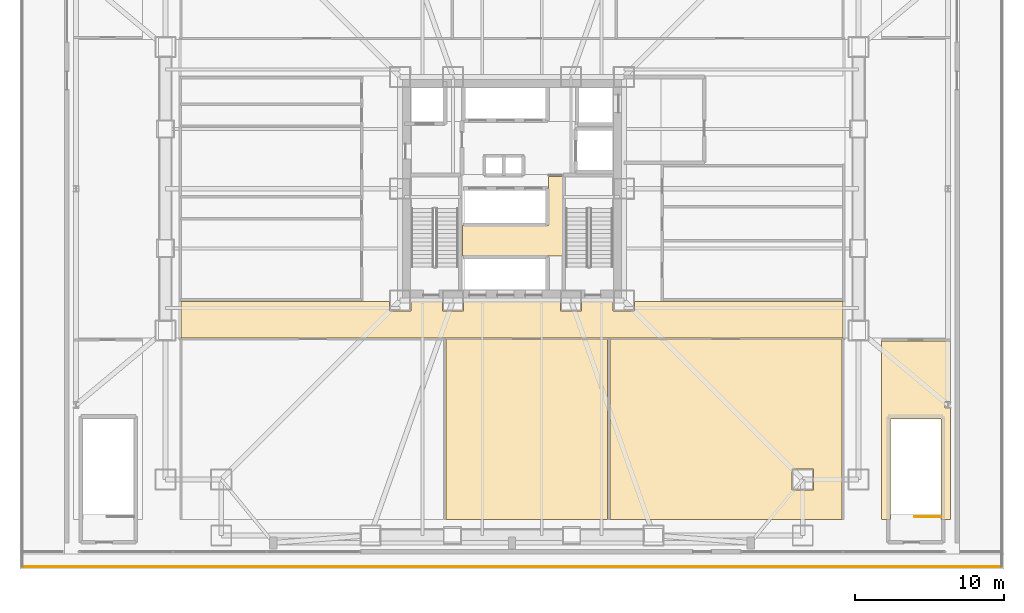
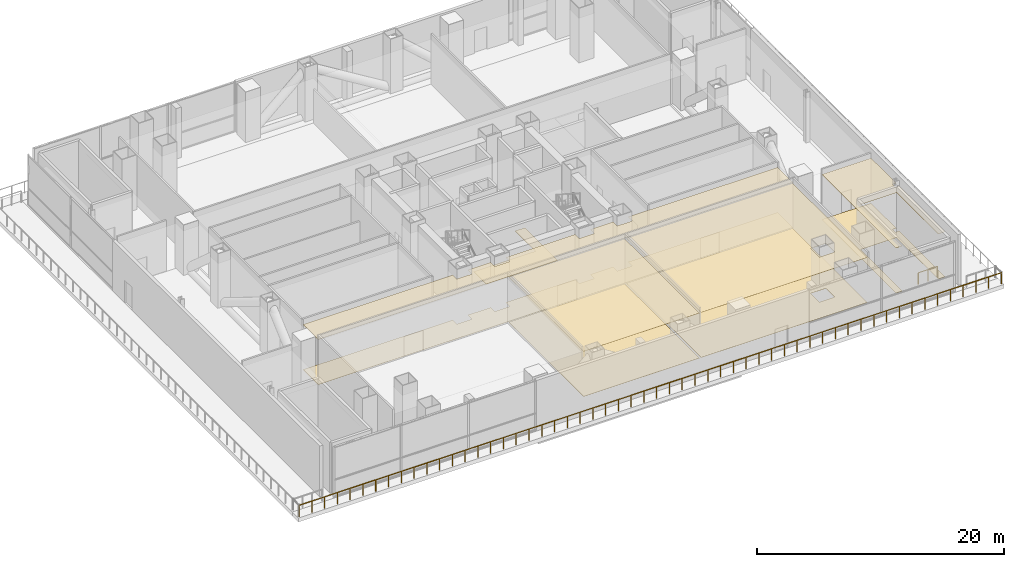
# One storey, part 19 of 21: 9 coverings, 2 railings.
"""IFC4 building model written with IfcOpenShell, lengths in metres."""

from ifc_helpers import new_model, si_unit, direction, frame, origin, origin_2d, place, context, subcontext, project, spatial, polyline, circle, outline, extrude, material, layer, layer_set, type_object, element, save


model = new_model("IFC4")

# Units and contexts
model_context = context("Model", 3, precision=1e-05, world=origin(), true_north=direction((0.0, 1.0)))
body_context = subcontext(model_context, "Body", "Model", "MODEL_VIEW")
ifc_project = project(units=[si_unit("LENGTHUNIT", "METRE"), si_unit("AREAUNIT", "SQUARE_METRE"), si_unit("VOLUMEUNIT", "CUBIC_METRE"), si_unit("PLANEANGLEUNIT", "RADIAN"), si_unit("MASSUNIT", "GRAM", prefix="KILO")], contexts=[model_context])

# Site, building, storey
site_placement = place(None, origin())
site = spatial("IfcSite", under=ifc_project, at=site_placement, CompositionType="ELEMENT")
building_placement = place(site_placement, origin())
building = spatial("IfcBuilding", under=site, at=building_placement, Name="Trevonay Congress Spire", CompositionType="ELEMENT")
storey_placement = place(building_placement, frame((0.0, 0.0, 21.60009765625)))
storey = spatial("IfcBuildingStorey", under=building, at=storey_placement, Name="L04", CompositionType="ELEMENT", Elevation=21.60009765625)

# Coverings
ifc_material_1 = material(Name="Acoustic Mineral Fibre Board", Category="gypsum")
ifc_layer_1 = layer(ifc_material_1, 0.02490234375, Name="Acoustic Mineral Fibre Board")
ifc_layer_set_1 = layer_set([ifc_layer_1], Name="Acoustic Mineral Fibre Board")
covering_type_1 = type_object("IfcCoveringType", Name="COV-CEIL-ACOUSTIC", PredefinedType="CEILING", material=ifc_layer_set_1)
covering_1_placement = place(storey_placement, frame((0.0, 0.0, 4.449951171875)))
element("IfcCovering", 1, at=covering_1_placement, inside=storey, type_object=covering_type_1, Name="L04 L04 Grand Concourse South acoustic suspended ceiling", PredefinedType="CEILING", context=body_context, shape_type="SweptSolid", body=[
    extrude(outline(polyline([(22.199951171875, -7.550048828125), (22.199951171875, -10.0), (-22.199951171875, -10.0), (-22.199951171875, -7.550048828125), (-8.2099609375, -7.550048828125), (-8.2099609375, -8.2099609375), (-6.7900390625, -8.2099609375), (-6.7900390625, -7.550048828125), (-4.659912109375, -7.550048828125), (-4.659912109375, -8.2099609375), (-3.239990234375, -8.2099609375), (-3.239990234375, -7.550048828125), (3.239990234375, -7.550048828125), (3.239990234375, -8.2099609375), (4.659912109375, -8.2099609375), (4.659912109375, -7.550048828125), (6.7900390625, -7.550048828125), (6.7900390625, -8.2099609375), (8.2099609375, -8.2099609375), (8.2099609375, -7.550048828125), (22.199951171875, -7.550048828125)])), origin(), (0.0, 0.0, 1.0), 0.02490234375),
])
covering_2_placement = place(storey_placement, frame((0.0, 0.0, 4.449951171875)))
element("IfcCovering", 2, at=covering_2_placement, inside=storey, type_object=covering_type_1, Name="L04 Delegate Dining Hall acoustic suspended ceiling", PredefinedType="CEILING", context=body_context, shape_type="SweptSolid", body=[
    extrude(outline(polyline([(-4.419921875, -22.199951171875), (6.419921875, -22.199951171875), (6.419921875, -10.080078125), (-4.419921875, -10.080078125), (-4.419921875, -22.199951171875)])), origin(), (0.0, 0.0, 1.0), 0.02490234375),
])
covering_3_placement = place(storey_placement, frame((0.0, 0.0, 4.449951171875)))
element("IfcCovering", 3, at=covering_3_placement, inside=storey, type_object=covering_type_1, Name="L04 Finishing Kitchen L04 acoustic suspended ceiling", PredefinedType="CEILING", context=body_context, shape_type="SweptSolid", body=[
    extrude(outline(polyline([(6.580078125, -10.080078125), (22.1201171875, -10.080078125), (22.1201171875, -22.199951171875), (6.580078125, -22.199951171875), (6.580078125, -10.080078125)]), holes=[polyline([(20.2099609375, -20.2099609375), (20.2099609375, -18.7900390625), (18.7900390625, -18.7900390625), (18.7900390625, -20.2099609375), (20.2099609375, -20.2099609375)])]), origin(), (0.0, 0.0, 1.0), 0.02490234375),
])
covering_4_placement = place(storey_placement, frame((0.0, 0.0, 4.449951171875)))
element("IfcCovering", 4, at=covering_4_placement, inside=storey, type_object=covering_type_1, Name="L04 East Terrace Delegate Lounge acoustic suspended ceiling", PredefinedType="CEILING", context=body_context, shape_type="SweptSolid", body=[
    extrude(outline(polyline([(28.760009765625, -22.199951171875), (28.760009765625, -15.43994140625), (25.389892578125, -15.43994140625), (25.389892578125, -22.199951171875), (24.800048828125, -22.199951171875), (24.800048828125, -10.199951171875), (29.39990234375, -10.199951171875), (29.39990234375, -14.277587890625), (29.055908203125, -14.277587890625), (29.055908203125, -14.722412109375), (29.39990234375, -14.722412109375), (29.39990234375, -22.199951171875), (28.760009765625, -22.199951171875)])), origin(), (0.0, 0.0, 1.0), 0.02490234375),
])
ifc_material_2 = material(Name="Polished Granite Floor Tile", Category="masonry")
ifc_layer_2 = layer(ifc_material_2, 0.02001953125, Name="Polished Granite Floor Tile")
ifc_layer_set_2 = layer_set([ifc_layer_2], Name="Polished Granite Floor Tile")
covering_type_2 = type_object("IfcCoveringType", Name="COV-FLOOR-STONE", PredefinedType="FLOORING", material=ifc_layer_set_2)
covering_5_placement = place(storey_placement, origin())
element("IfcCovering", 5, at=covering_5_placement, inside=storey, type_object=covering_type_2, Name="L04 Core MEP Metering Room floor finish", PredefinedType="FLOORING", context=body_context, shape_type="SweptSolid", body=[
    extrude(outline(polyline([(-3.320068359375, -4.52001953125), (3.3798828125, -4.52001953125), (3.3798828125, 0.820068359375), (2.4599609375, 0.820068359375), (2.4599609375, -2.47998046875), (-3.320068359375, -2.47998046875), (-3.320068359375, -4.52001953125)])), origin(), (0.0, 0.0, 1.0), 0.02001953125),
])
covering_6_placement = place(storey_placement, origin())
element("IfcCovering", 6, at=covering_6_placement, inside=storey, type_object=covering_type_2, Name="L04 L04 Grand Concourse South floor finish", PredefinedType="FLOORING", context=body_context, shape_type="SweptSolid", body=[
    extrude(outline(polyline([(22.199951171875, -7.550048828125), (22.199951171875, -10.0), (-22.199951171875, -10.0), (-22.199951171875, -7.550048828125), (-8.2099609375, -7.550048828125), (-8.2099609375, -8.2099609375), (-6.7900390625, -8.2099609375), (-6.7900390625, -7.550048828125), (-4.659912109375, -7.550048828125), (-4.659912109375, -8.2099609375), (-3.239990234375, -8.2099609375), (-3.239990234375, -7.550048828125), (3.239990234375, -7.550048828125), (3.239990234375, -8.2099609375), (4.659912109375, -8.2099609375), (4.659912109375, -7.550048828125), (6.7900390625, -7.550048828125), (6.7900390625, -8.2099609375), (8.2099609375, -8.2099609375), (8.2099609375, -7.550048828125), (22.199951171875, -7.550048828125)])), origin(), (0.0, 0.0, 1.0), 0.02001953125),
])
covering_7_placement = place(storey_placement, origin())
element("IfcCovering", 7, at=covering_7_placement, inside=storey, type_object=covering_type_2, Name="L04 Delegate Dining Hall floor finish", PredefinedType="FLOORING", context=body_context, shape_type="SweptSolid", body=[
    extrude(outline(polyline([(-4.419921875, -22.199951171875), (6.419921875, -22.199951171875), (6.419921875, -10.080078125), (-4.419921875, -10.080078125), (-4.419921875, -22.199951171875)])), origin(), (0.0, 0.0, 1.0), 0.02001953125),
])
covering_8_placement = place(storey_placement, origin())
element("IfcCovering", 8, at=covering_8_placement, inside=storey, type_object=covering_type_2, Name="L04 Finishing Kitchen L04 floor finish", PredefinedType="FLOORING", context=body_context, shape_type="SweptSolid", body=[
    extrude(outline(polyline([(6.580078125, -10.080078125), (22.1201171875, -10.080078125), (22.1201171875, -22.199951171875), (6.580078125, -22.199951171875), (6.580078125, -10.080078125)]), holes=[polyline([(20.2099609375, -20.2099609375), (20.2099609375, -18.7900390625), (18.7900390625, -18.7900390625), (18.7900390625, -20.2099609375), (20.2099609375, -20.2099609375)])]), origin(), (0.0, 0.0, 1.0), 0.02001953125),
])
ifc_material_3 = material(Name="Engineered Oak Flooring", Category="wood")
ifc_layer_3 = layer(ifc_material_3, 0.01806640625, Name="Engineered Oak Flooring")
ifc_layer_set_3 = layer_set([ifc_layer_3], Name="Engineered Oak Flooring")
covering_type_3 = type_object("IfcCoveringType", Name="COV-FLOOR-TIMBER", PredefinedType="FLOORING", material=ifc_layer_set_3)
covering_9_placement = place(storey_placement, origin())
element("IfcCovering", 9, at=covering_9_placement, inside=storey, type_object=covering_type_3, Name="L04 East Terrace Delegate Lounge floor finish", PredefinedType="FLOORING", context=body_context, shape_type="SweptSolid", body=[
    extrude(outline(polyline([(28.760009765625, -22.199951171875), (28.760009765625, -15.43994140625), (25.389892578125, -15.43994140625), (25.389892578125, -22.199951171875), (24.800048828125, -22.199951171875), (24.800048828125, -10.199951171875), (29.39990234375, -10.199951171875), (29.39990234375, -14.277587890625), (29.055908203125, -14.277587890625), (29.055908203125, -14.722412109375), (29.39990234375, -14.722412109375), (29.39990234375, -22.199951171875), (28.760009765625, -22.199951171875)])), origin(), (0.0, 0.0, 1.0), 0.017822265625),
])

# Railings
ifc_material_4 = material(Name="Pale Anodised Aluminium EN AW-6063-T6", Category="aluminium")
railing_type_1 = type_object("IfcRailingType", Name="RAL-EXT-GUARD-115", PredefinedType="GUARDRAIL", material=ifc_material_4)
railing_1_placement = place(storey_placement, frame((-32.85009765625, -25.35009765625, 0.0)))
element("IfcRailing", 10, at=railing_1_placement, inside=storey, type_object=railing_type_1, Name="L04 perimeter safety guard GRD-L04-TER-S-2", PredefinedType="GUARDRAIL", context=body_context, shape_type="SweptSolid", body=[
    extrude(circle(Radius=0.02392578125, at=origin_2d()), frame((0.0, 0.0, 1.1259765625), z_axis=(1.0, 0.0, 0.0), x_axis=(0.0, 1.0, 0.0)), (0.0, 0.0, 1.0), 65.7001953125),
    extrude(circle(Radius=0.02099609375, at=origin_2d()), origin(), (0.0, 0.0, 1.0), 1.101806640625),
    extrude(circle(Radius=0.02099609375, at=origin_2d()), frame((1.194580078125, 0.0, 0.0)), (0.0, 0.0, 1.0), 1.101806640625),
    extrude(circle(Radius=0.02099609375, at=origin_2d()), frame((2.38916015625, 0.0, 0.0)), (0.0, 0.0, 1.0), 1.101806640625),
    extrude(circle(Radius=0.02099609375, at=origin_2d()), frame((3.583740234375, 0.0, 0.0)), (0.0, 0.0, 1.0), 1.101806640625),
    extrude(circle(Radius=0.02099609375, at=origin_2d()), frame((4.778076171875, 0.0, 0.0)), (0.0, 0.0, 1.0), 1.101806640625),
    extrude(circle(Radius=0.02099609375, at=origin_2d()), frame((5.97265625, 0.0, 0.0)), (0.0, 0.0, 1.0), 1.101806640625),
    extrude(circle(Radius=0.02099609375, at=origin_2d()), frame((7.167236328125, 0.0, 0.0)), (0.0, 0.0, 1.0), 1.101806640625),
    extrude(circle(Radius=0.02099609375, at=origin_2d()), frame((8.36181640625, 0.0, 0.0)), (0.0, 0.0, 1.0), 1.101806640625),
    extrude(circle(Radius=0.02099609375, at=origin_2d()), frame((9.556396484375, 0.0, 0.0)), (0.0, 0.0, 1.0), 1.101806640625),
    extrude(circle(Radius=0.02099609375, at=origin_2d()), frame((10.7509765625, 0.0, 0.0)), (0.0, 0.0, 1.0), 1.101806640625),
    extrude(circle(Radius=0.02099609375, at=origin_2d()), frame((11.945556640625, 0.0, 0.0)), (0.0, 0.0, 1.0), 1.101806640625),
    extrude(circle(Radius=0.02099609375, at=origin_2d()), frame((13.14013671875, 0.0, 0.0)), (0.0, 0.0, 1.0), 1.101806640625),
    extrude(circle(Radius=0.02099609375, at=origin_2d()), frame((14.33447265625, 0.0, 0.0)), (0.0, 0.0, 1.0), 1.101806640625),
    extrude(circle(Radius=0.02099609375, at=origin_2d()), frame((15.529052734375, 0.0, 0.0)), (0.0, 0.0, 1.0), 1.101806640625),
    extrude(circle(Radius=0.02099609375, at=origin_2d()), frame((16.7236328125, 0.0, 0.0)), (0.0, 0.0, 1.0), 1.101806640625),
    extrude(circle(Radius=0.02099609375, at=origin_2d()), frame((17.918212890625, 0.0, 0.0)), (0.0, 0.0, 1.0), 1.101806640625),
    extrude(circle(Radius=0.02099609375, at=origin_2d()), frame((19.11279296875, 0.0, 0.0)), (0.0, 0.0, 1.0), 1.101806640625),
    extrude(circle(Radius=0.02099609375, at=origin_2d()), frame((20.307373046875, 0.0, 0.0)), (0.0, 0.0, 1.0), 1.101806640625),
    extrude(circle(Radius=0.02099609375, at=origin_2d()), frame((21.501953125, 0.0, 0.0)), (0.0, 0.0, 1.0), 1.101806640625),
    extrude(circle(Radius=0.02099609375, at=origin_2d()), frame((22.696533203125, 0.0, 0.0)), (0.0, 0.0, 1.0), 1.101806640625),
    extrude(circle(Radius=0.02099609375, at=origin_2d()), frame((23.890869140625, 0.0, 0.0)), (0.0, 0.0, 1.0), 1.101806640625),
    extrude(circle(Radius=0.02099609375, at=origin_2d()), frame((25.08544921875, 0.0, 0.0)), (0.0, 0.0, 1.0), 1.101806640625),
    extrude(circle(Radius=0.02099609375, at=origin_2d()), frame((26.280029296875, 0.0, 0.0)), (0.0, 0.0, 1.0), 1.101806640625),
    extrude(circle(Radius=0.02099609375, at=origin_2d()), frame((27.474609375, 0.0, 0.0)), (0.0, 0.0, 1.0), 1.101806640625),
    extrude(circle(Radius=0.02099609375, at=origin_2d()), frame((28.669189453125, 0.0, 0.0)), (0.0, 0.0, 1.0), 1.101806640625),
    extrude(circle(Radius=0.02099609375, at=origin_2d()), frame((29.86376953125, 0.0, 0.0)), (0.0, 0.0, 1.0), 1.101806640625),
    extrude(circle(Radius=0.02099609375, at=origin_2d()), frame((31.058349609375, 0.0, 0.0)), (0.0, 0.0, 1.0), 1.101806640625),
    extrude(circle(Radius=0.02099609375, at=origin_2d()), frame((32.2529296875, 0.0, 0.0)), (0.0, 0.0, 1.0), 1.101806640625),
    extrude(circle(Radius=0.02099609375, at=origin_2d()), frame((33.447265625, 0.0, 0.0)), (0.0, 0.0, 1.0), 1.101806640625),
    extrude(circle(Radius=0.02099609375, at=origin_2d()), frame((34.641845703125, 0.0, 0.0)), (0.0, 0.0, 1.0), 1.101806640625),
    extrude(circle(Radius=0.02099609375, at=origin_2d()), frame((35.83642578125, 0.0, 0.0)), (0.0, 0.0, 1.0), 1.101806640625),
    extrude(circle(Radius=0.02099609375, at=origin_2d()), frame((37.031005859375, 0.0, 0.0)), (0.0, 0.0, 1.0), 1.101806640625),
    extrude(circle(Radius=0.02099609375, at=origin_2d()), frame((38.2255859375, 0.0, 0.0)), (0.0, 0.0, 1.0), 1.101806640625),
    extrude(circle(Radius=0.02099609375, at=origin_2d()), frame((39.420166015625, 0.0, 0.0)), (0.0, 0.0, 1.0), 1.101806640625),
    extrude(circle(Radius=0.02099609375, at=origin_2d()), frame((40.61474609375, 0.0, 0.0)), (0.0, 0.0, 1.0), 1.101806640625),
    extrude(circle(Radius=0.02099609375, at=origin_2d()), frame((41.809326171875, 0.0, 0.0)), (0.0, 0.0, 1.0), 1.101806640625),
    extrude(circle(Radius=0.02099609375, at=origin_2d()), frame((43.003662109375, 0.0, 0.0)), (0.0, 0.0, 1.0), 1.101806640625),
    extrude(circle(Radius=0.02099609375, at=origin_2d()), frame((44.1982421875, 0.0, 0.0)), (0.0, 0.0, 1.0), 1.101806640625),
    extrude(circle(Radius=0.02099609375, at=origin_2d()), frame((45.392822265625, 0.0, 0.0)), (0.0, 0.0, 1.0), 1.101806640625),
    extrude(circle(Radius=0.02099609375, at=origin_2d()), frame((46.58740234375, 0.0, 0.0)), (0.0, 0.0, 1.0), 1.101806640625),
    extrude(circle(Radius=0.02099609375, at=origin_2d()), frame((47.781982421875, 0.0, 0.0)), (0.0, 0.0, 1.0), 1.101806640625),
    extrude(circle(Radius=0.02099609375, at=origin_2d()), frame((48.9765625, 0.0, 0.0)), (0.0, 0.0, 1.0), 1.101806640625),
    extrude(circle(Radius=0.02099609375, at=origin_2d()), frame((50.171142578125, 0.0, 0.0)), (0.0, 0.0, 1.0), 1.101806640625),
    extrude(circle(Radius=0.02099609375, at=origin_2d()), frame((51.36572265625, 0.0, 0.0)), (0.0, 0.0, 1.0), 1.101806640625),
    extrude(circle(Radius=0.02099609375, at=origin_2d()), frame((52.56005859375, 0.0, 0.0)), (0.0, 0.0, 1.0), 1.101806640625),
    extrude(circle(Radius=0.02099609375, at=origin_2d()), frame((53.754638671875, 0.0, 0.0)), (0.0, 0.0, 1.0), 1.101806640625),
    extrude(circle(Radius=0.02099609375, at=origin_2d()), frame((54.94921875, 0.0, 0.0)), (0.0, 0.0, 1.0), 1.101806640625),
    extrude(circle(Radius=0.02099609375, at=origin_2d()), frame((56.143798828125, 0.0, 0.0)), (0.0, 0.0, 1.0), 1.101806640625),
    extrude(circle(Radius=0.02099609375, at=origin_2d()), frame((57.33837890625, 0.0, 0.0)), (0.0, 0.0, 1.0), 1.101806640625),
    extrude(circle(Radius=0.02099609375, at=origin_2d()), frame((58.532958984375, 0.0, 0.0)), (0.0, 0.0, 1.0), 1.101806640625),
    extrude(circle(Radius=0.02099609375, at=origin_2d()), frame((59.7275390625, 0.0, 0.0)), (0.0, 0.0, 1.0), 1.101806640625),
    extrude(circle(Radius=0.02099609375, at=origin_2d()), frame((60.922119140625, 0.0, 0.0)), (0.0, 0.0, 1.0), 1.101806640625),
    extrude(circle(Radius=0.02099609375, at=origin_2d()), frame((62.116455078125, 0.0, 0.0)), (0.0, 0.0, 1.0), 1.101806640625),
    extrude(circle(Radius=0.02099609375, at=origin_2d()), frame((63.31103515625, 0.0, 0.0)), (0.0, 0.0, 1.0), 1.101806640625),
    extrude(circle(Radius=0.02099609375, at=origin_2d()), frame((64.505615234375, 0.0, 0.0)), (0.0, 0.0, 1.0), 1.101806640625),
    extrude(circle(Radius=0.02099609375, at=origin_2d()), frame((65.7001953125, 0.0, 0.0)), (0.0, 0.0, 1.0), 1.101806640625),
])
railing_type_2 = type_object("IfcRailingType", Name="RAL-STAIR-GUARD-110", PredefinedType="GUARDRAIL", material=ifc_material_4)
railing_2_placement = place(storey_placement, frame((28.800048828125, -22.0, 0.0)))
element("IfcRailing", 11, at=railing_2_placement, inside=storey, type_object=railing_type_2, Name="L04 ST-4 top well guard 1", PredefinedType="GUARDRAIL", context=body_context, shape_type="SweptSolid", body=[
    extrude(circle(Radius=0.02392578125, at=origin_2d()), frame((0.0, 0.0, 1.1259765625), z_axis=(-1.0, 0.0, 0.0), x_axis=(0.0, -1.0, 0.0)), (0.0, 0.0, 1.0), 1.800048828125),
    extrude(circle(Radius=0.02099609375, at=origin_2d()), origin(), (0.0, 0.0, 1.0), 1.101806640625),
    extrude(circle(Radius=0.02099609375, at=origin_2d()), frame((-0.89990234375, 0.0, 0.0)), (0.0, 0.0, 1.0), 1.101806640625),
    extrude(circle(Radius=0.02099609375, at=origin_2d()), frame((-1.800048828125, 0.0, 0.0)), (0.0, 0.0, 1.0), 1.101806640625),
])

save(model, "model.ifc")
